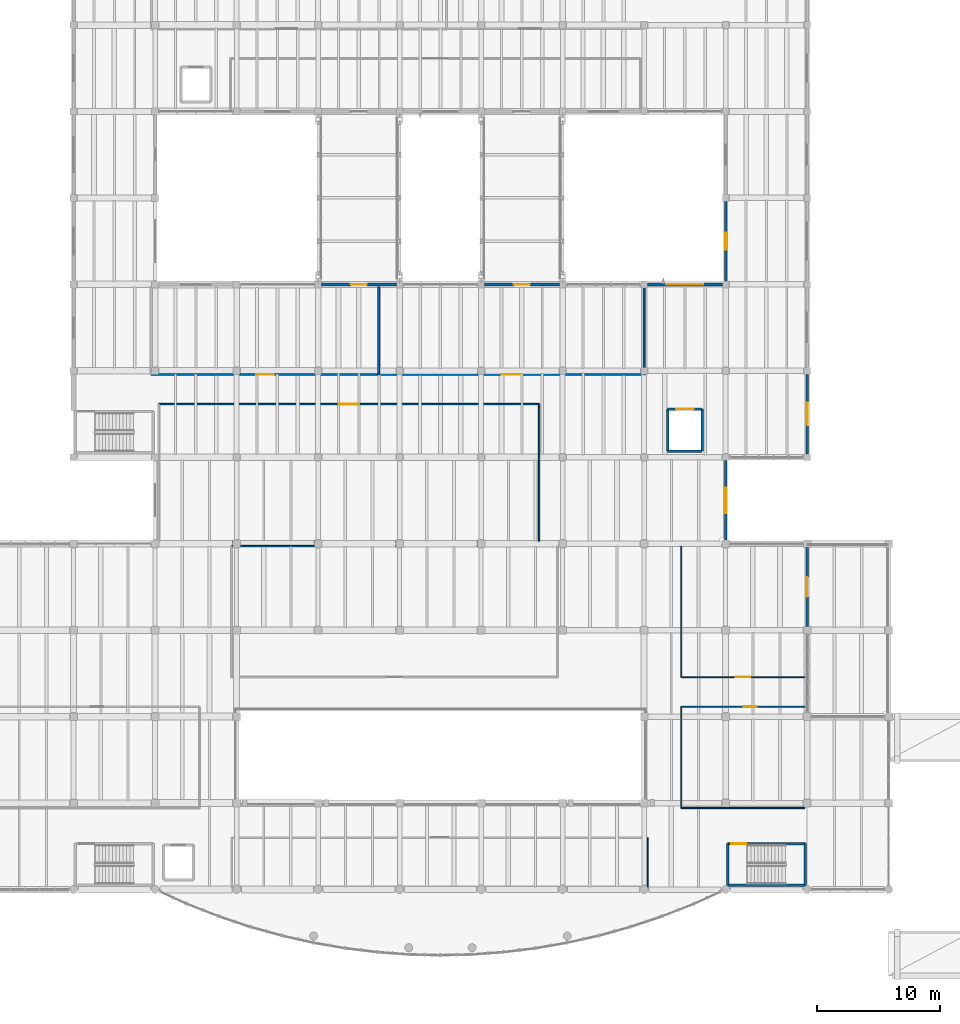
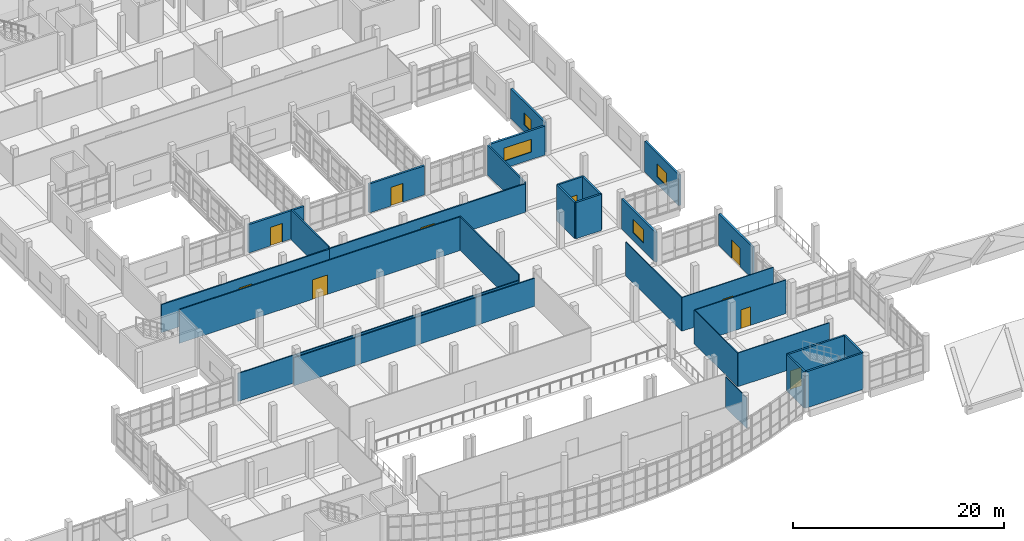
# One storey, part 51 of 67: 29 walls, 10 doors, 4 windows, 14 openings.
"""IFC4 building model written with IfcOpenShell, lengths in metres."""

from ifc_helpers import new_model, si_unit, direction, frame, frame_2d, origin, place, context, subcontext, project, spatial, rectangle, extrude, material, layer, layer_set, type_object, element, fill, save


model = new_model("IFC4")

# Units and contexts
model_context = context("Model", 3, precision=1e-05, world=origin(), true_north=direction((0.0, 1.0)))
body_context = subcontext(model_context, "Body", "Model", "MODEL_VIEW")
ifc_project = project(units=[si_unit("LENGTHUNIT", "METRE"), si_unit("AREAUNIT", "SQUARE_METRE"), si_unit("VOLUMEUNIT", "CUBIC_METRE"), si_unit("PLANEANGLEUNIT", "RADIAN"), si_unit("MASSUNIT", "GRAM", prefix="KILO")], contexts=[model_context])

# Site, building, storey
site_placement = place(None, origin())
site = spatial("IfcSite", under=ifc_project, at=site_placement, CompositionType="ELEMENT")
building_placement = place(site_placement, origin())
building = spatial("IfcBuilding", under=site, at=building_placement, Name="Ciguamira Faculty of Natural Sciences", CompositionType="ELEMENT")
storey_placement = place(building_placement, frame((0.0, 0.0, 8.39990234375)))
storey = spatial("IfcBuildingStorey", under=building, at=storey_placement, Name="L02", CompositionType="ELEMENT", Elevation=8.39990234375)

# Wall, opening, door
ifc_material_1 = material(Name="Precast concrete C40/50", Category="concrete")
ifc_layer_1 = layer(ifc_material_1, 0.219970703125, Name="Precast concrete C40/50")
ifc_layer_set_1 = layer_set([ifc_layer_1], Name="Precast concrete C40/50")
wall_type_1 = type_object("IfcWallType", Name="ExtWall_EW-03_220", PredefinedType="SOLIDWALL", material=ifc_layer_set_1)
wall_1_placement = place(storey_placement, frame((77.375, 59.0, 0.0), z_axis=(0.0, 0.0, 1.0), x_axis=(1.0, 0.0, 0.0)))
wall_1 = element("IfcWall", 1, at=wall_1_placement, inside=storey, type_object=wall_type_1, Name="L02 exterior wall 0217", PredefinedType="SOLIDWALL", context=body_context, shape_type="SweptSolid", body=[
    extrude(rectangle(XDim=6.050048828125, YDim=0.219970703125, at=frame_2d((3.02490234375, 0.0))), origin(), (0.0, 0.0, 1.0), 3.28515625),
])
opening_1_placement = place(wall_1_placement, frame((2.375, 0.0, 0.0)))
opening_1 = element("IfcOpeningElement", 2, at=opening_1_placement, cuts=wall_1, Name="Opening ED-08", PredefinedType="OPENING", context=body_context, shape_type="SweptSolid", body=[
    extrude(rectangle(XDim=1.300048828125, YDim=2.14990234375, at=frame_2d((0.64990234375, 1.074951171875))), frame((0.0, 0.119873046875, 0.0), z_axis=(0.0, -1.0, 0.0), x_axis=(1.0, 0.0, 0.0)), (0.0, 0.0, 1.0), 0.239990234375),
])
ifc_material_2 = material(Name="Link bridge fire threshold door")
door_type_1 = type_object("IfcDoorType", Name="ExtDoor_ED-08_1300x2150", OperationType="NOTDEFINED", PredefinedType="DOOR", material=ifc_material_2)
door_1_placement = place(opening_1_placement, origin())
door_1 = element("IfcDoor", 3, at=door_1_placement, inside=storey, type_object=door_type_1, Name="Bridge BR-1 South Threshold Door", OperationType="DOUBLE_DOOR_SINGLE_SWING", OverallHeight=2.14990234375, OverallWidth=1.300048828125, PredefinedType="DOOR", context=body_context, shape_type="SweptSolid", body=[
    extrude(rectangle(XDim=1.300048828125, YDim=2.14990234375, at=frame_2d((0.64990234375, 1.074951171875))), frame((0.0, 0.02490234375, 0.0), z_axis=(0.0, -1.0, 0.0), x_axis=(1.0, 0.0, 0.0)), (0.0, 0.0, 1.0), 0.050048828125),
])
fill(opening_1, door_1)

wall_2_placement = place(storey_placement, frame((90.574951171875, 59.0, 0.0), z_axis=(0.0, 0.0, 1.0), x_axis=(1.0, 0.0, 0.0)))
wall_2 = element("IfcWall", 4, at=wall_2_placement, inside=storey, type_object=wall_type_1, Name="L02 exterior wall 0218", PredefinedType="SOLIDWALL", context=body_context, shape_type="SweptSolid", body=[
    extrude(rectangle(XDim=6.050048828125, YDim=0.219970703125, at=frame_2d((3.02490234375, 0.0))), origin(), (0.0, 0.0, 1.0), 3.364990234375),
])
opening_2_placement = place(wall_2_placement, frame((2.375, 0.0, 0.0)))
opening_2 = element("IfcOpeningElement", 5, at=opening_2_placement, cuts=wall_2, Name="Opening ED-08", PredefinedType="OPENING", context=body_context, shape_type="SweptSolid", body=[
    extrude(rectangle(XDim=1.300048828125, YDim=2.14990234375, at=frame_2d((0.64990234375, 1.074951171875))), frame((0.0, 0.119873046875, 0.0), z_axis=(0.0, -1.0, 0.0), x_axis=(1.0, 0.0, 0.0)), (0.0, 0.0, 1.0), 0.239990234375),
])
door_2_placement = place(opening_2_placement, origin())
door_2 = element("IfcDoor", 6, at=door_2_placement, inside=storey, type_object=door_type_1, Name="Bridge BR-2 South Threshold Door", OperationType="DOUBLE_DOOR_SINGLE_SWING", OverallHeight=2.14990234375, OverallWidth=1.300048828125, PredefinedType="DOOR", context=body_context, shape_type="SweptSolid", body=[
    extrude(rectangle(XDim=1.300048828125, YDim=2.14990234375, at=frame_2d((0.64990234375, 1.074951171875))), frame((0.0, 0.02490234375, 0.0), z_axis=(0.0, -1.0, 0.0), x_axis=(1.0, 0.0, 0.0)), (0.0, 0.0, 1.0), 0.050048828125),
])
fill(opening_2, door_2)

# Wall, opening, window
wall_3_placement = place(storey_placement, frame((103.77490234375, 59.0, 0.0), z_axis=(0.0, 0.0, 1.0), x_axis=(1.0, 0.0, 0.0)))
wall_3 = element("IfcWall", 7, at=wall_3_placement, inside=storey, type_object=wall_type_1, Name="L02 exterior wall 0219", PredefinedType="SOLIDWALL", context=body_context, shape_type="SweptSolid", body=[
    extrude(rectangle(XDim=6.050048828125, YDim=0.219970703125, at=frame_2d((3.02490234375, 0.0))), origin(), (0.0, 0.0, 1.0), 3.34521484375),
])
opening_3_placement = place(wall_3_placement, frame((1.52490234375, 0.0, 0.85009765625)))
opening_3 = element("IfcOpeningElement", 8, at=opening_3_placement, cuts=wall_3, Name="Opening WT-14", PredefinedType="OPENING", context=body_context, shape_type="SweptSolid", body=[
    extrude(rectangle(XDim=3.0, YDim=1.5, at=frame_2d((1.5, 0.75))), frame((0.0, 0.119873046875, 0.0), z_axis=(0.0, -1.0, 0.0), x_axis=(1.0, 0.0, 0.0)), (0.0, 0.0, 1.0), 0.239990234375),
])
ifc_material_3 = material(Name="Hurricane laminated solar glass", Category="glass")
window_type_1 = type_object("IfcWindowType", Name="Window_WT-14_3000x1500", PartitioningType="DOUBLE_PANEL_VERTICAL", PredefinedType="WINDOW", material=ifc_material_3)
window_1_placement = place(opening_3_placement, origin())
window_1 = element("IfcWindow", 9, at=window_1_placement, inside=storey, type_object=window_type_1, Name="L02 facade window 0128", OverallHeight=1.5, OverallWidth=3.0, PartitioningType="SINGLE_PANEL", PredefinedType="WINDOW", context=body_context, shape_type="SweptSolid", body=[
    extrude(rectangle(XDim=3.0, YDim=1.5, at=frame_2d((1.5, 0.75))), frame((0.0, 0.030029296875, 0.0), z_axis=(0.0, -1.0, 0.0), x_axis=(1.0, 0.0, 0.0)), (0.0, 0.0, 1.0), 0.06005859375),
])
fill(opening_3, window_1)

wall_4_placement = place(storey_placement, frame((110.10009765625, 38.300048828125, 0.0), z_axis=(0.0, 0.0, 1.0), x_axis=(0.0, 1.0, 0.0)))
wall_4 = element("IfcWall", 10, at=wall_4_placement, inside=storey, type_object=wall_type_1, Name="L02 exterior wall 0248", PredefinedType="SOLIDWALL", context=body_context, shape_type="SweptSolid", body=[
    extrude(rectangle(XDim=6.425048828125, YDim=0.219970703125, at=frame_2d((3.21240234375, 0.0))), origin(), (0.0, 0.0, 1.0), 3.465087890625),
])
opening_4_placement = place(wall_4_placement, frame((2.1875, 0.0, 0.85009765625)))
opening_4 = element("IfcOpeningElement", 11, at=opening_4_placement, cuts=wall_4, Name="Opening WT-40", PredefinedType="OPENING", context=body_context, shape_type="SweptSolid", body=[
    extrude(rectangle(XDim=2.050048828125, YDim=1.550048828125, at=frame_2d((1.02490234375, 0.77490234375))), frame((0.0, 0.119873046875, 0.0), z_axis=(0.0, -1.0, 0.0), x_axis=(1.0, 0.0, 0.0)), (0.0, 0.0, 1.0), 0.239990234375),
])
window_type_2 = type_object("IfcWindowType", Name="Window_WT-40_2050x1550", PartitioningType="DOUBLE_PANEL_VERTICAL", PredefinedType="WINDOW", material=ifc_material_3)
window_2_placement = place(opening_4_placement, origin())
window_2 = element("IfcWindow", 12, at=window_2_placement, inside=storey, type_object=window_type_2, Name="L02 facade window 0154", OverallHeight=1.550048828125, OverallWidth=2.050048828125, PartitioningType="SINGLE_PANEL", PredefinedType="WINDOW", context=body_context, shape_type="SweptSolid", body=[
    extrude(rectangle(XDim=2.050048828125, YDim=1.550048828125, at=frame_2d((1.02490234375, 0.77490234375))), frame((0.0, 0.030029296875, 0.0), z_axis=(0.0, -1.0, 0.0), x_axis=(1.0, 0.0, 0.0)), (0.0, 0.0, 1.0), 0.06005859375),
])
fill(opening_4, window_2)

wall_5_placement = place(storey_placement, frame((110.10009765625, 59.27490234375, 0.0), z_axis=(0.0, 0.0, 1.0), x_axis=(0.0, 1.0, 0.0)))
wall_5 = element("IfcWall", 13, at=wall_5_placement, inside=storey, type_object=wall_type_1, Name="L02 exterior wall 0249", PredefinedType="SOLIDWALL", context=body_context, shape_type="SweptSolid", body=[
    extrude(rectangle(XDim=6.4501953125, YDim=0.219970703125, at=frame_2d((3.22509765625, 0.0))), origin(), (0.0, 0.0, 1.0), 3.465087890625),
])
opening_5_placement = place(wall_5_placement, frame((2.550048828125, 0.0, 0.85009765625)))
opening_5 = element("IfcOpeningElement", 14, at=opening_5_placement, cuts=wall_5, Name="Opening WT-02", PredefinedType="OPENING", context=body_context, shape_type="SweptSolid", body=[
    extrude(rectangle(XDim=1.35009765625, YDim=1.35009765625, at=frame_2d((0.675048828125, 0.675048828125))), frame((0.0, 0.119873046875, 0.0), z_axis=(0.0, -1.0, 0.0), x_axis=(1.0, 0.0, 0.0)), (0.0, 0.0, 1.0), 0.239990234375),
])
window_type_3 = type_object("IfcWindowType", Name="Window_WT-02_1350x1350", PartitioningType="DOUBLE_PANEL_VERTICAL", PredefinedType="WINDOW", material=ifc_material_3)
window_3_placement = place(opening_5_placement, origin())
window_3 = element("IfcWindow", 15, at=window_3_placement, inside=storey, type_object=window_type_3, Name="L02 facade window 0155", OverallHeight=1.35009765625, OverallWidth=1.35009765625, PartitioningType="SINGLE_PANEL", PredefinedType="WINDOW", context=body_context, shape_type="SweptSolid", body=[
    extrude(rectangle(XDim=1.35009765625, YDim=1.35009765625, at=frame_2d((0.675048828125, 0.675048828125))), frame((0.0, 0.030029296875, 0.0), z_axis=(0.0, -1.0, 0.0), x_axis=(1.0, 0.0, 0.0)), (0.0, 0.0, 1.0), 0.06005859375),
])
fill(opening_5, window_3)

# Wall, opening, door
wall_6_placement = place(storey_placement, frame((116.699951171875, 31.300048828125, 0.0), z_axis=(0.0, 0.0, 1.0), x_axis=(0.0, 1.0, 0.0)))
wall_6 = element("IfcWall", 16, at=wall_6_placement, inside=storey, type_object=wall_type_1, Name="L02 exterior wall 0252", PredefinedType="SOLIDWALL", context=body_context, shape_type="SweptSolid", body=[
    extrude(rectangle(XDim=6.39990234375, YDim=0.219970703125, at=frame_2d((3.199951171875, 0.0))), origin(), (0.0, 0.0, 1.0), 3.6650390625),
])
opening_6_placement = place(wall_6_placement, frame((2.39990234375, 0.0, 0.0)))
opening_6 = element("IfcOpeningElement", 17, at=opening_6_placement, cuts=wall_6, Name="Opening ED-05", PredefinedType="OPENING", context=body_context, shape_type="SweptSolid", body=[
    extrude(rectangle(XDim=1.60009765625, YDim=2.14990234375, at=frame_2d((0.800048828125, 1.074951171875))), frame((0.0, 0.119873046875, 0.0), z_axis=(0.0, -1.0, 0.0), x_axis=(1.0, 0.0, 0.0)), (0.0, 0.0, 1.0), 0.239990234375),
])
ifc_material_4 = material(Name="Terrace glazed double access door")
door_type_2 = type_object("IfcDoorType", Name="ExtDoor_ED-05_1600x2150", OperationType="NOTDEFINED", PredefinedType="DOOR", material=ifc_material_4)
door_3_placement = place(opening_6_placement, frame((1.60009765625, 0.0, 0.0), z_axis=(0.0, 0.0, 1.0), x_axis=(-1.0, 0.0, 0.0)))
door_3 = element("IfcDoor", 18, at=door_3_placement, inside=storey, type_object=door_type_2, Name="East Escarpment Terrace Door", OperationType="DOUBLE_DOOR_SINGLE_SWING", OverallHeight=2.14990234375, OverallWidth=1.60009765625, PredefinedType="DOOR", context=body_context, shape_type="SweptSolid", body=[
    extrude(rectangle(XDim=1.60009765625, YDim=2.14990234375, at=frame_2d((0.800048828125, 1.074951171875))), frame((0.0, 0.02490234375, 0.0), z_axis=(0.0, -1.0, 0.0), x_axis=(1.0, 0.0, 0.0)), (0.0, 0.0, 1.0), 0.050048828125),
])
fill(opening_6, door_3)

# Wall, opening, window
wall_7_placement = place(storey_placement, frame((116.699951171875, 45.27490234375, 0.0), z_axis=(0.0, 0.0, 1.0), x_axis=(0.0, 1.0, 0.0)))
wall_7 = element("IfcWall", 19, at=wall_7_placement, inside=storey, type_object=wall_type_1, Name="L02 exterior wall 0253", PredefinedType="SOLIDWALL", context=body_context, shape_type="SweptSolid", body=[
    extrude(rectangle(XDim=6.4501953125, YDim=0.219970703125, at=frame_2d((3.22509765625, 0.0))), origin(), (0.0, 0.0, 1.0), 3.565185546875),
])
opening_7_placement = place(wall_7_placement, frame((2.324951171875, 0.0, 0.85009765625)))
opening_7 = element("IfcOpeningElement", 20, at=opening_7_placement, cuts=wall_7, Name="Opening WT-10", PredefinedType="OPENING", context=body_context, shape_type="SweptSolid", body=[
    extrude(rectangle(XDim=1.800048828125, YDim=1.5, at=frame_2d((0.89990234375, 0.75))), frame((0.0, 0.119873046875, 0.0), z_axis=(0.0, -1.0, 0.0), x_axis=(1.0, 0.0, 0.0)), (0.0, 0.0, 1.0), 0.239990234375),
])
window_type_4 = type_object("IfcWindowType", Name="Window_WT-10_1800x1500", PartitioningType="DOUBLE_PANEL_VERTICAL", PredefinedType="WINDOW", material=ifc_material_3)
window_4_placement = place(opening_7_placement, origin())
window_4 = element("IfcWindow", 21, at=window_4_placement, inside=storey, type_object=window_type_4, Name="L02 facade window 0158", OverallHeight=1.5, OverallWidth=1.800048828125, PartitioningType="SINGLE_PANEL", PredefinedType="WINDOW", context=body_context, shape_type="SweptSolid", body=[
    extrude(rectangle(XDim=1.800048828125, YDim=1.5, at=frame_2d((0.89990234375, 0.75))), frame((0.0, 0.030029296875, 0.0), z_axis=(0.0, -1.0, 0.0), x_axis=(1.0, 0.0, 0.0)), (0.0, 0.0, 1.0), 0.06005859375),
])
fill(opening_7, window_4)

# Wall
ifc_material_5 = material(Name="Concrete C40/50", Category="concrete")
ifc_layer_2 = layer(ifc_material_5, 0.199951171875, Name="Concrete C40/50")
ifc_layer_set_2 = layer_set([ifc_layer_2], Name="Concrete C40/50")
wall_type_2 = type_object("IfcWallType", Name="IntWall_CW-S20_200", PredefinedType="SHEAR", material=ifc_layer_set_2)
wall_8_placement = place(storey_placement, frame((110.25, 10.35009765625, 0.0), z_axis=(0.0, 0.0, 1.0), x_axis=(1.0, 0.0, 0.0)))
element("IfcWall", 22, at=wall_8_placement, inside=storey, type_object=wall_type_2, Name="L02 ST-A2 core shear wall south", PredefinedType="SHEAR", context=body_context, shape_type="SweptSolid", body=[
    extrude(rectangle(XDim=6.300048828125, YDim=0.199951171875, at=frame_2d((3.14990234375, 0.0))), origin(), (0.0, 0.0, 1.0), 4.2001953125),
])

# Wall, opening, door
wall_9_placement = place(storey_placement, frame((110.25, 13.7099609375, 0.0), z_axis=(0.0, 0.0, 1.0), x_axis=(1.0, 0.0, 0.0)))
wall_9 = element("IfcWall", 23, at=wall_9_placement, inside=storey, type_object=wall_type_2, Name="L02 ST-A2 core shear wall north", PredefinedType="SHEAR", context=body_context, shape_type="SweptSolid", body=[
    extrude(rectangle(XDim=6.300048828125, YDim=0.199951171875, at=frame_2d((3.14990234375, 0.0))), origin(), (0.0, 0.0, 1.0), 4.2001953125),
])
opening_8_placement = place(wall_9_placement, frame((0.320068359375, 0.0, 0.0)))
opening_8 = element("IfcOpeningElement", 24, at=opening_8_placement, cuts=wall_9, Name="Opening ID-14", PredefinedType="OPENING", context=body_context, shape_type="SweptSolid", body=[
    extrude(rectangle(XDim=1.199951171875, YDim=2.14990234375, at=frame_2d((0.60009765625, 1.074951171875))), frame((0.0, 0.10986328125, 0.0), z_axis=(0.0, -1.0, 0.0), x_axis=(1.0, 0.0, 0.0)), (0.0, 0.0, 1.0), 0.219970703125),
])
ifc_material_6 = material(Name="Protected exit stair fire door")
door_type_3 = type_object("IfcDoorType", Name="IntDoor_ID-14_1200x2150", OperationType="NOTDEFINED", PredefinedType="DOOR", material=ifc_material_6)
door_4_placement = place(opening_8_placement, frame((1.199951171875, 0.0, 0.0), z_axis=(0.0, 0.0, 1.0), x_axis=(-1.0, 0.0, 0.0)))
door_4 = element("IfcDoor", 25, at=door_4_placement, inside=storey, type_object=door_type_3, Name="L02 ST-A2 exit stair fire door", OperationType="SINGLE_SWING_LEFT", OverallHeight=2.14990234375, OverallWidth=1.199951171875, PredefinedType="DOOR", context=body_context, shape_type="SweptSolid", body=[
    extrude(rectangle(XDim=1.199951171875, YDim=2.14990234375, at=frame_2d((0.60009765625, 1.074951171875))), frame((0.0, 0.02490234375, 0.0), z_axis=(0.0, -1.0, 0.0), x_axis=(1.0, 0.0, 0.0)), (0.0, 0.0, 1.0), 0.050048828125),
])
fill(opening_8, door_4)

# Walls
for number, where, z_axis, x_axis, name in (
    (26, (110.25, 10.35009765625, 0.0), (0.0, 0.0, 1.0), (0.0, 1.0, 0.0), "L02 ST-A2 core shear wall west"),
    (27, (116.550048828125, 10.35009765625, 0.0), (0.0, 0.0, 1.0), (0.0, 1.0, 0.0), "L02 ST-A2 core shear wall east"),
):
    element("IfcWall", number, at=place(storey_placement, frame(where, z_axis=z_axis, x_axis=x_axis)), inside=storey, type_object=wall_type_2, Name=name, PredefinedType="SHEAR", context=body_context, shape_type="SweptSolid", body=[
        extrude(rectangle(XDim=3.35986328125, YDim=0.199951171875, at=frame_2d((1.679931640625, 0.0))), origin(), (0.0, 0.0, 1.0), 4.2001953125),
    ])
wall_10_placement = place(storey_placement, frame((105.39990234375, 45.5, 0.0), z_axis=(0.0, 0.0, 1.0), x_axis=(1.0, 0.0, 0.0)))
element("IfcWall", 28, at=wall_10_placement, inside=storey, type_object=wall_type_2, Name="L02 EL-G1 hoistway wall south", PredefinedType="SHEAR", context=body_context, shape_type="SweptSolid", body=[
    extrude(rectangle(XDim=2.800048828125, YDim=0.199951171875, at=frame_2d((1.39990234375, 0.0))), origin(), (0.0, 0.0, 1.0), 4.2001953125),
])

# Wall, opening, door
wall_11_placement = place(storey_placement, frame((105.39990234375, 48.89990234375, 0.0), z_axis=(0.0, 0.0, 1.0), x_axis=(1.0, 0.0, 0.0)))
wall_11 = element("IfcWall", 29, at=wall_11_placement, inside=storey, type_object=wall_type_2, Name="L02 EL-G1 hoistway wall north", PredefinedType="SHEAR", context=body_context, shape_type="SweptSolid", body=[
    extrude(rectangle(XDim=2.800048828125, YDim=0.199951171875, at=frame_2d((1.39990234375, 0.0))), origin(), (0.0, 0.0, 1.0), 4.2001953125),
])
opening_9_placement = place(wall_11_placement, frame((0.699951171875, 0.0, 0.0)))
opening_9 = element("IfcOpeningElement", 30, at=opening_9_placement, cuts=wall_11, Name="Opening LD-04", PredefinedType="OPENING", context=body_context, shape_type="SweptSolid", body=[
    extrude(rectangle(XDim=1.39990234375, YDim=2.300048828125, at=frame_2d((0.699951171875, 1.14990234375))), frame((0.0, 0.10986328125, 0.0), z_axis=(0.0, -1.0, 0.0), x_axis=(1.0, 0.0, 0.0)), (0.0, 0.0, 1.0), 0.219970703125),
])
ifc_material_7 = material(Name="Specimen service lift sliding landing door")
door_type_4 = type_object("IfcDoorType", Name="LiftLandingDoor_LD-04_1400x2300", OperationType="SLIDING_TO_LEFT", PredefinedType="DOOR", material=ifc_material_7)
door_5_placement = place(opening_9_placement, origin())
door_5 = element("IfcDoor", 31, at=door_5_placement, inside=storey, type_object=door_type_4, Name="L02 EL-G1 elevator landing sliding door", OperationType="SLIDING_TO_LEFT", OverallHeight=2.300048828125, OverallWidth=1.39990234375, PredefinedType="DOOR", context=body_context, shape_type="SweptSolid", body=[
    extrude(rectangle(XDim=1.39990234375, YDim=2.300048828125, at=frame_2d((0.699951171875, 1.14990234375))), frame((0.0, 0.02490234375, 0.0), z_axis=(0.0, -1.0, 0.0), x_axis=(1.0, 0.0, 0.0)), (0.0, 0.0, 1.0), 0.050048828125),
])
fill(opening_9, door_5)

# Walls
for number, where, z_axis, x_axis, name in (
    (32, (105.39990234375, 45.5, 0.0), (0.0, 0.0, 1.0), (0.0, 1.0, 0.0), "L02 EL-G1 hoistway wall west"),
    (33, (108.199951171875, 45.5, 0.0), (0.0, 0.0, 1.0), (0.0, 1.0, 0.0), "L02 EL-G1 hoistway wall east"),
):
    element("IfcWall", number, at=place(storey_placement, frame(where, z_axis=z_axis, x_axis=x_axis)), inside=storey, type_object=wall_type_2, Name=name, PredefinedType="SHEAR", context=body_context, shape_type="SweptSolid", body=[
        extrude(rectangle(XDim=3.39990234375, YDim=0.199951171875, at=frame_2d((1.699951171875, 0.0))), origin(), (0.0, 0.0, 1.0), 4.2001953125),
    ])
ifc_material_8 = material(Name="Fire-rated gypsum partition")
ifc_layer_3 = layer(ifc_material_8, 0.10009765625, Name="Fire-rated gypsum partition")
ifc_layer_set_3 = layer_set([ifc_layer_3], Name="Fire-rated gypsum partition")
wall_type_3 = type_object("IfcWallType", Name="IntWall_IW-A10_100", PredefinedType="PARTITIONING", material=ifc_layer_set_3)
wall_12_placement = place(storey_placement, frame((106.5, 16.60009765625, 0.0), z_axis=(0.0, 0.0, 1.0), x_axis=(1.0, 0.0, 0.0)))
element("IfcWall", 34, at=wall_12_placement, inside=storey, type_object=wall_type_3, Name="L02 Scientific Instrumentation Display partition south", PredefinedType="PARTITIONING", context=body_context, shape_type="SweptSolid", body=[
    extrude(rectangle(XDim=10.0, YDim=0.10009765625, at=frame_2d((5.0, 0.0))), origin(), (0.0, 0.0, 1.0), 3.900146484375),
])

# Wall, opening, door
wall_13_placement = place(storey_placement, frame((106.5, 24.800048828125, 0.0), z_axis=(0.0, 0.0, 1.0), x_axis=(1.0, 0.0, 0.0)))
wall_13 = element("IfcWall", 35, at=wall_13_placement, inside=storey, type_object=wall_type_3, Name="L02 Scientific Instrumentation Display partition north", PredefinedType="PARTITIONING", context=body_context, shape_type="SweptSolid", body=[
    extrude(rectangle(XDim=10.0, YDim=0.10009765625, at=frame_2d((5.0, 0.0))), origin(), (0.0, 0.0, 1.0), 3.900146484375),
])
opening_10_placement = place(wall_13_placement, frame((5.074951171875, 0.0, 0.0)))
opening_10 = element("IfcOpeningElement", 36, at=opening_10_placement, cuts=wall_13, Name="Opening ID-04", PredefinedType="OPENING", context=body_context, shape_type="SweptSolid", body=[
    extrude(rectangle(XDim=1.050048828125, YDim=2.14990234375, at=frame_2d((0.52490234375, 1.074951171875))), frame((0.0, 0.06005859375, 0.0), z_axis=(0.0, -1.0, 0.0), x_axis=(1.0, 0.0, 0.0)), (0.0, 0.0, 1.0), 0.1201171875),
])
ifc_material_9 = material(Name="Seminar acoustic single door")
door_type_5 = type_object("IfcDoorType", Name="IntDoor_ID-04_1050x2150", OperationType="NOTDEFINED", PredefinedType="DOOR", material=ifc_material_9)
door_6_placement = place(opening_10_placement, frame((1.050048828125, 0.0, 0.0), z_axis=(0.0, 0.0, 1.0), x_axis=(-1.0, 0.0, 0.0)))
door_6 = element("IfcDoor", 37, at=door_6_placement, inside=storey, type_object=door_type_5, Name="L02 Scientific Instrumentation Display door", OperationType="SINGLE_SWING_LEFT", OverallHeight=2.14990234375, OverallWidth=1.050048828125, PredefinedType="DOOR", context=body_context, shape_type="SweptSolid", body=[
    extrude(rectangle(XDim=1.050048828125, YDim=2.14990234375, at=frame_2d((0.52490234375, 1.074951171875))), frame((0.0, 0.02490234375, 0.0), z_axis=(0.0, -1.0, 0.0), x_axis=(1.0, 0.0, 0.0)), (0.0, 0.0, 1.0), 0.050048828125),
])
fill(opening_10, door_6)

# Wall
wall_14_placement = place(storey_placement, frame((106.5, 16.60009765625, 0.0), z_axis=(0.0, 0.0, 1.0), x_axis=(0.0, 1.0, 0.0)))
element("IfcWall", 38, at=wall_14_placement, inside=storey, type_object=wall_type_3, Name="L02 Scientific Instrumentation Display partition west", PredefinedType="PARTITIONING", context=body_context, shape_type="SweptSolid", body=[
    extrude(rectangle(XDim=8.199951171875, YDim=0.10009765625, at=frame_2d((4.10009765625, 0.0))), origin(), (0.0, 0.0, 1.0), 3.900146484375),
])

# Wall, opening, door
wall_15_placement = place(storey_placement, frame((106.5, 27.199951171875, 0.0), z_axis=(0.0, 0.0, 1.0), x_axis=(1.0, 0.0, 0.0)))
wall_15 = element("IfcWall", 39, at=wall_15_placement, inside=storey, type_object=wall_type_3, Name="L02 East Terrace Observation Lounge partition south", PredefinedType="PARTITIONING", context=body_context, shape_type="SweptSolid", body=[
    extrude(rectangle(XDim=10.0, YDim=0.10009765625, at=frame_2d((5.0, 0.0))), origin(), (0.0, 0.0, 1.0), 3.900146484375),
])
opening_11_placement = place(wall_15_placement, frame((4.425048828125, 0.0, 0.0)))
opening_11 = element("IfcOpeningElement", 40, at=opening_11_placement, cuts=wall_15, Name="Opening ID-05", PredefinedType="OPENING", context=body_context, shape_type="SweptSolid", body=[
    extrude(rectangle(XDim=1.14990234375, YDim=2.14990234375, at=frame_2d((0.574951171875, 1.074951171875))), frame((0.0, 0.06005859375, 0.0), z_axis=(0.0, -1.0, 0.0), x_axis=(1.0, 0.0, 0.0)), (0.0, 0.0, 1.0), 0.1201171875),
])
ifc_material_10 = material(Name="Research office wide door")
door_type_6 = type_object("IfcDoorType", Name="IntDoor_ID-05_1150x2150", OperationType="NOTDEFINED", PredefinedType="DOOR", material=ifc_material_10)
door_7_placement = place(opening_11_placement, origin())
door_7 = element("IfcDoor", 41, at=door_7_placement, inside=storey, type_object=door_type_6, Name="L02 East Terrace Observation Lounge door", OperationType="SINGLE_SWING_RIGHT", OverallHeight=2.14990234375, OverallWidth=1.14990234375, PredefinedType="DOOR", context=body_context, shape_type="SweptSolid", body=[
    extrude(rectangle(XDim=1.14990234375, YDim=2.14990234375, at=frame_2d((0.574951171875, 1.074951171875))), frame((0.0, 0.02490234375, 0.0), z_axis=(0.0, -1.0, 0.0), x_axis=(1.0, 0.0, 0.0)), (0.0, 0.0, 1.0), 0.050048828125),
])
fill(opening_11, door_7)

# Walls
wall_16_placement = place(storey_placement, frame((106.5, 27.199951171875, 0.0), z_axis=(0.0, 0.0, 1.0), x_axis=(0.0, 1.0, 0.0)))
element("IfcWall", 42, at=wall_16_placement, inside=storey, type_object=wall_type_3, Name="L02 East Terrace Observation Lounge partition west", PredefinedType="PARTITIONING", context=body_context, shape_type="SweptSolid", body=[
    extrude(rectangle(XDim=10.60009765625, YDim=0.10009765625, at=frame_2d((5.300048828125, 0.0))), origin(), (0.0, 0.0, 1.0), 3.900146484375),
])
wall_17_placement = place(storey_placement, frame((103.800048828125, 10.199951171875, 0.0), z_axis=(0.0, 0.0, 1.0), x_axis=(0.0, 1.0, 0.0)))
element("IfcWall", 43, at=wall_17_placement, inside=storey, type_object=wall_type_3, Name="L02 L02 South Promenade Study Gallery partition east", PredefinedType="PARTITIONING", context=body_context, shape_type="SweptSolid", body=[
    extrude(rectangle(XDim=4.0, YDim=0.10009765625, at=frame_2d((2.0, 0.0))), origin(), (0.0, 0.0, 1.0), 3.545166015625),
])
ifc_material_11 = material(Name="Acoustic double-stud gypsum partition")
ifc_layer_4 = layer(ifc_material_11, 0.1201171875, Name="Acoustic double-stud gypsum partition")
ifc_layer_set_4 = layer_set([ifc_layer_4], Name="Acoustic double-stud gypsum partition")
wall_type_4 = type_object("IfcWallType", Name="IntWall_IW-A12_120", PredefinedType="PARTITIONING", material=ifc_layer_set_4)
wall_18_placement = place(storey_placement, frame((70.10009765625, 37.800048828125, 0.0), z_axis=(0.0, 0.0, 1.0), x_axis=(1.0, 0.0, 0.0)))
element("IfcWall", 44, at=wall_18_placement, inside=storey, type_object=wall_type_4, Name="L02 Interdisciplinary Seminar Room B partition north", PredefinedType="PARTITIONING", context=body_context, shape_type="SweptSolid", body=[
    extrude(rectangle(XDim=26.39990234375, YDim=0.1201171875, at=frame_2d((13.199951171875, 0.0))), origin(), (0.0, 0.0, 1.0), 3.235107421875),
])
wall_19_placement = place(storey_placement, frame((64.199951171875, 38.199951171875, 0.0), z_axis=(0.0, 0.0, 1.0), x_axis=(1.0, 0.0, 0.0)))
element("IfcWall", 45, at=wall_19_placement, inside=storey, type_object=wall_type_4, Name="L02 L02 South Lab Seminar Room partition south", PredefinedType="PARTITIONING", context=body_context, shape_type="SweptSolid", body=[
    extrude(rectangle(XDim=30.800048828125, YDim=0.1201171875, at=frame_2d((15.39990234375, 0.0))), origin(), (0.0, 0.0, 1.0), 3.235107421875),
])

# Wall, opening, door
wall_20_placement = place(storey_placement, frame((64.199951171875, 49.300048828125, 0.0), z_axis=(0.0, 0.0, 1.0), x_axis=(1.0, 0.0, 0.0)))
wall_20 = element("IfcWall", 46, at=wall_20_placement, inside=storey, type_object=wall_type_4, Name="L02 L02 South Lab Seminar Room partition north", PredefinedType="PARTITIONING", context=body_context, shape_type="SweptSolid", body=[
    extrude(rectangle(XDim=30.800048828125, YDim=0.1201171875, at=frame_2d((15.39990234375, 0.0))), origin(), (0.0, 0.0, 1.0), 3.900146484375),
])
opening_12_placement = place(wall_20_placement, frame((14.574951171875, 0.0, 0.0)))
opening_12 = element("IfcOpeningElement", 47, at=opening_12_placement, cuts=wall_20, Name="Opening ID-10", PredefinedType="OPENING", context=body_context, shape_type="SweptSolid", body=[
    extrude(rectangle(XDim=1.64990234375, YDim=2.25, at=frame_2d((0.824951171875, 1.125))), frame((0.0, 0.070068359375, 0.0), z_axis=(0.0, -1.0, 0.0), x_axis=(1.0, 0.0, 0.0)), (0.0, 0.0, 1.0), 0.14013671875),
])
ifc_material_12 = material(Name="Reading hall double acoustic door")
door_type_7 = type_object("IfcDoorType", Name="IntDoor_ID-10_1650x2250", OperationType="NOTDEFINED", PredefinedType="DOOR", material=ifc_material_12)
door_8_placement = place(opening_12_placement, frame((1.64990234375, 0.0, 0.0), z_axis=(0.0, 0.0, 1.0), x_axis=(-1.0, 0.0, 0.0)))
door_8 = element("IfcDoor", 48, at=door_8_placement, inside=storey, type_object=door_type_7, Name="L02 L02 South Lab Seminar Room door", OperationType="SINGLE_SWING_LEFT", OverallHeight=2.25, OverallWidth=1.64990234375, PredefinedType="DOOR", context=body_context, shape_type="SweptSolid", body=[
    extrude(rectangle(XDim=1.64990234375, YDim=2.25, at=frame_2d((0.824951171875, 1.125))), frame((0.0, 0.02490234375, 0.0), z_axis=(0.0, -1.0, 0.0), x_axis=(1.0, 0.0, 0.0)), (0.0, 0.0, 1.0), 0.050048828125),
])
fill(opening_12, door_8)

# Wall
wall_21_placement = place(storey_placement, frame((95.0, 38.199951171875, 0.0), z_axis=(0.0, 0.0, 1.0), x_axis=(0.0, 1.0, 0.0)))
element("IfcWall", 49, at=wall_21_placement, inside=storey, type_object=wall_type_4, Name="L02 L02 South Lab Seminar Room partition east", PredefinedType="PARTITIONING", context=body_context, shape_type="SweptSolid", body=[
    extrude(rectangle(XDim=11.10009765625, YDim=0.1201171875, at=frame_2d((5.550048828125, 0.0))), origin(), (0.0, 0.0, 1.0), 3.900146484375),
])

# Wall, opening, door
ifc_material_13 = material(Name="Acoustic laboratory corridor partition")
ifc_layer_5 = layer(ifc_material_13, 0.14990234375, Name="Acoustic laboratory corridor partition")
ifc_layer_set_5 = layer_set([ifc_layer_5], Name="Acoustic laboratory corridor partition")
wall_type_5 = type_object("IfcWallType", Name="IntWall_IW-G15_150", PredefinedType="PARTITIONING", material=ifc_layer_set_5)
wall_22_placement = place(storey_placement, frame((63.60009765625, 51.699951171875, 0.0), z_axis=(0.0, 0.0, 1.0), x_axis=(1.0, 0.0, 0.0)))
wall_22 = element("IfcWall", 50, at=wall_22_placement, inside=storey, type_object=wall_type_5, Name="L02 Analytical Spectroscopy Laboratory partition south", PredefinedType="PARTITIONING", context=body_context, shape_type="SweptSolid", body=[
    extrude(rectangle(XDim=18.39990234375, YDim=0.14990234375, at=frame_2d((9.199951171875, 0.0))), origin(), (0.0, 0.0, 1.0), 3.235107421875),
])
opening_13_placement = place(wall_22_placement, frame((8.47509765625, 0.0, 0.0)))
opening_13 = element("IfcOpeningElement", 51, at=opening_13_placement, cuts=wall_22, Name="Opening ID-08", PredefinedType="OPENING", context=body_context, shape_type="SweptSolid", body=[
    extrude(rectangle(XDim=1.449951171875, YDim=2.199951171875, at=frame_2d((0.72509765625, 1.10009765625))), frame((0.0, 0.0849609375, 0.0), z_axis=(0.0, -1.0, 0.0), x_axis=(1.0, 0.0, 0.0)), (0.0, 0.0, 1.0), 0.169921875),
])
ifc_material_14 = material(Name="Wet chemistry laboratory door")
door_type_8 = type_object("IfcDoorType", Name="IntDoor_ID-08_1450x2200", OperationType="NOTDEFINED", PredefinedType="DOOR", material=ifc_material_14)
door_9_placement = place(opening_13_placement, origin())
door_9 = element("IfcDoor", 52, at=door_9_placement, inside=storey, type_object=door_type_8, Name="L02 Analytical Spectroscopy Laboratory door", OperationType="SINGLE_SWING_LEFT", OverallHeight=2.199951171875, OverallWidth=1.449951171875, PredefinedType="DOOR", context=body_context, shape_type="SweptSolid", body=[
    extrude(rectangle(XDim=1.449951171875, YDim=2.199951171875, at=frame_2d((0.72509765625, 1.10009765625))), frame((0.0, 0.02490234375, 0.0), z_axis=(0.0, -1.0, 0.0), x_axis=(1.0, 0.0, 0.0)), (0.0, 0.0, 1.0), 0.050048828125),
])
fill(opening_13, door_9)

# Wall
wall_23_placement = place(storey_placement, frame((82.0, 51.699951171875, 0.0), z_axis=(0.0, 0.0, 1.0), x_axis=(0.0, 1.0, 0.0)))
element("IfcWall", 53, at=wall_23_placement, inside=storey, type_object=wall_type_5, Name="L02 Analytical Spectroscopy Laboratory partition east", PredefinedType="PARTITIONING", context=body_context, shape_type="SweptSolid", body=[
    extrude(rectangle(XDim=7.10009765625, YDim=0.14990234375, at=frame_2d((3.550048828125, 0.0))), origin(), (0.0, 0.0, 1.0), 3.501220703125),
])

# Wall, opening, door
wall_24_placement = place(storey_placement, frame((82.0, 51.699951171875, 0.0), z_axis=(0.0, 0.0, 1.0), x_axis=(1.0, 0.0, 0.0)))
wall_24 = element("IfcWall", 54, at=wall_24_placement, inside=storey, type_object=wall_type_5, Name="L02 Molecular Genetics Teaching Laboratory partition south", PredefinedType="PARTITIONING", context=body_context, shape_type="SweptSolid", body=[
    extrude(rectangle(XDim=21.5, YDim=0.14990234375, at=frame_2d((10.75, 0.0))), origin(), (0.0, 0.0, 1.0), 3.28515625),
])
opening_14_placement = place(wall_24_placement, frame((9.97509765625, 0.0, 0.0)))
opening_14 = element("IfcOpeningElement", 55, at=opening_14_placement, cuts=wall_24, Name="Opening ID-09", PredefinedType="OPENING", context=body_context, shape_type="SweptSolid", body=[
    extrude(rectangle(XDim=1.550048828125, YDim=2.199951171875, at=frame_2d((0.77490234375, 1.10009765625))), frame((0.0, 0.0849609375, 0.0), z_axis=(0.0, -1.0, 0.0), x_axis=(1.0, 0.0, 0.0)), (0.0, 0.0, 1.0), 0.169921875),
])
ifc_material_15 = material(Name="Teaching laboratory double door")
door_type_9 = type_object("IfcDoorType", Name="IntDoor_ID-09_1550x2200", OperationType="NOTDEFINED", PredefinedType="DOOR", material=ifc_material_15)
door_10_placement = place(opening_14_placement, origin())
door_10 = element("IfcDoor", 56, at=door_10_placement, inside=storey, type_object=door_type_9, Name="L02 Molecular Genetics Teaching Laboratory door", OperationType="SINGLE_SWING_RIGHT", OverallHeight=2.199951171875, OverallWidth=1.550048828125, PredefinedType="DOOR", context=body_context, shape_type="SweptSolid", body=[
    extrude(rectangle(XDim=1.550048828125, YDim=2.199951171875, at=frame_2d((0.77490234375, 1.10009765625))), frame((0.0, 0.02490234375, 0.0), z_axis=(0.0, -1.0, 0.0), x_axis=(1.0, 0.0, 0.0)), (0.0, 0.0, 1.0), 0.050048828125),
])
fill(opening_14, door_10)

# Wall
wall_25_placement = place(storey_placement, frame((103.5, 51.699951171875, 0.0), z_axis=(0.0, 0.0, 1.0), x_axis=(0.0, 1.0, 0.0)))
element("IfcWall", 57, at=wall_25_placement, inside=storey, type_object=wall_type_5, Name="L02 Molecular Genetics Teaching Laboratory partition east", PredefinedType="PARTITIONING", context=body_context, shape_type="SweptSolid", body=[
    extrude(rectangle(XDim=7.10009765625, YDim=0.14990234375, at=frame_2d((3.550048828125, 0.0))), origin(), (0.0, 0.0, 1.0), 3.445068359375),
])

save(model, "model.ifc")
